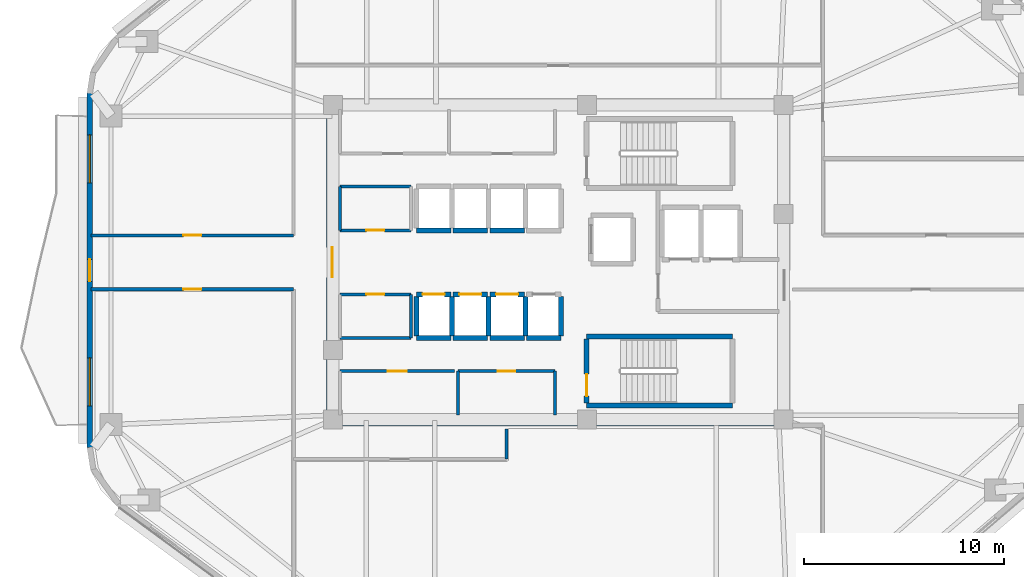
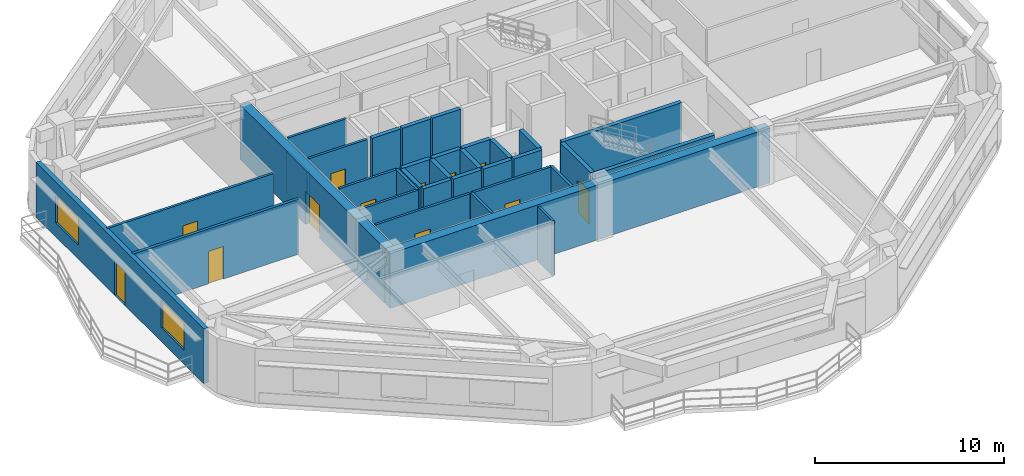
# One storey, part 8 of 13: 34 walls, 12 doors, 2 windows, 14 openings.
"""IFC4 building model written with IfcOpenShell, lengths in metres."""

from ifc_helpers import new_model, si_unit, direction, frame, frame_2d, origin, place, context, subcontext, project, spatial, rectangle, extrude, material, layer, layer_set, type_object, element, fill, save


model = new_model("IFC4")

# Units and contexts
model_context = context("Model", 3, precision=1e-05, world=origin(), true_north=direction((0.0, 1.0)))
body_context = subcontext(model_context, "Body", "Model", "MODEL_VIEW")
ifc_project = project(units=[si_unit("LENGTHUNIT", "METRE"), si_unit("AREAUNIT", "SQUARE_METRE"), si_unit("VOLUMEUNIT", "CUBIC_METRE"), si_unit("PLANEANGLEUNIT", "RADIAN"), si_unit("MASSUNIT", "GRAM", prefix="KILO")], contexts=[model_context])

# Site, building, storey
site_placement = place(None, origin())
site = spatial("IfcSite", under=ifc_project, at=site_placement, CompositionType="ELEMENT")
building_placement = place(site_placement, origin())
building = spatial("IfcBuilding", under=site, at=building_placement, Name="Zulverin Broadcast Headquarters", CompositionType="ELEMENT")
storey_placement = place(building_placement, frame((0.0, 0.0, 155.39990234375)))
storey = spatial("IfcBuildingStorey", under=building, at=storey_placement, Name="L39", CompositionType="ELEMENT", Elevation=155.39990234375)

# Wall
ifc_material_1 = material(Name="Concrete C60/75", Category="concrete")
ifc_layer_1 = layer(ifc_material_1, 0.550048828125, Name="Concrete C60/75", Category="concrete")
ifc_layer_set_1 = layer_set([ifc_layer_1], Name="Concrete C60/75")
wall_type_1 = type_object("IfcWallType", Name="WL-CORE-550", PredefinedType="SHEAR", material=ifc_layer_set_1)
wall_1_placement = place(storey_placement, frame((25.39990234375, 17.27490234375, 0.0), z_axis=(0.0, 0.0, 1.0), x_axis=(1.0, 0.0, 0.0)))
element("IfcWall", 1, at=wall_1_placement, inside=storey, type_object=wall_type_1, Name="L39 Core South Shear Wall", PredefinedType="SHEAR", context=body_context, shape_type="SweptSolid", body=[
    extrude(rectangle(XDim=23.2001953125, YDim=0.550048828125, at=frame_2d((11.60009765625, 0.0))), origin(), (0.0, 0.0, 1.0), 3.5400390625),
])

# Wall, opening, door
wall_2_placement = place(storey_placement, frame((25.675048828125, 17.550048828125, 0.0), z_axis=(0.0, 0.0, 1.0), x_axis=(0.0, 1.0, 0.0)))
wall_2 = element("IfcWall", 2, at=wall_2_placement, inside=storey, type_object=wall_type_1, Name="L39 Core West Shear Wall", PredefinedType="SHEAR", context=body_context, shape_type="SweptSolid", body=[
    extrude(rectangle(XDim=15.300048828125, YDim=0.550048828125, at=frame_2d((7.64990234375, 0.0))), origin(), (0.0, 0.0, 1.0), 3.5400390625),
])
opening_1_placement = place(wall_2_placement, frame((6.89990234375, 0.0, 0.0)))
opening_1 = element("IfcOpeningElement", 3, at=opening_1_placement, cuts=wall_2, Name="Opening D-L39-CW1", PredefinedType="OPENING", context=body_context, shape_type="SweptSolid", body=[
    extrude(rectangle(XDim=1.5, YDim=2.14990234375, at=frame_2d((0.75, 1.074951171875))), frame((0.0, 0.284912109375, 0.0), z_axis=(0.0, -1.0, 0.0), x_axis=(1.0, 0.0, 0.0)), (0.0, 0.0, 1.0), 0.570068359375),
])
ifc_material_2 = material(Name="Fire-rated glazed steel frame", Category="steel")
door_type_1 = type_object("IfcDoorType", Name="DR-COR-1500", OperationType="DOUBLE_DOOR_SINGLE_SWING", PredefinedType="DOOR", material=ifc_material_2)
door_1_placement = place(opening_1_placement, origin())
door_1 = element("IfcDoor", 4, at=door_1_placement, inside=storey, type_object=door_type_1, Name="L39 Central Lift Lobby West Portal Door", OperationType="DOUBLE_DOOR_SINGLE_SWING", OverallHeight=2.14990234375, OverallWidth=1.5, PredefinedType="DOOR", context=body_context, shape_type="SweptSolid", body=[
    extrude(rectangle(XDim=1.5, YDim=2.14990234375, at=frame_2d((0.75, 1.074951171875))), frame((0.0, 0.02490234375, 0.0), z_axis=(0.0, -1.0, 0.0), x_axis=(1.0, 0.0, 0.0)), (0.0, 0.0, 1.0), 0.050048828125),
])
fill(opening_1, door_1)

# Wall, openings, door, windows
ifc_material_3 = material(Name="Insulated pale-metal clad concrete spandrel C40/50", Category="concrete")
ifc_layer_2 = layer(ifc_material_3, 0.280029296875, Name="Insulated pale-metal clad concrete spandrel C40/50", Category="concrete")
ifc_layer_set_2 = layer_set([ifc_layer_2], Name="Insulated pale-metal clad concrete spandrel C40/50")
wall_type_2 = type_object("IfcWallType", Name="WL-EXT-280", PredefinedType="STANDARD", material=ifc_layer_set_2)
wall_3_placement = place(storey_placement, frame((13.5400390625, 33.673095703125, 0.0), z_axis=(0.0, 0.0, 1.0), x_axis=(0.0, -1.0, 0.0)))
wall_3 = element("IfcWall", 5, at=wall_3_placement, inside=storey, type_object=wall_type_2, Name="L39 Pale-Metal Clad Spandrel Wall 7", PredefinedType="STANDARD", context=body_context, shape_type="SweptSolid", body=[
    extrude(rectangle(XDim=17.751220703125, YDim=0.280029296875, at=frame_2d((8.87548828125, 0.0))), origin(), (0.0, 0.0, 1.0), 3.5400390625),
])
opening_2_placement = place(wall_3_placement, frame((8.32568359375, 0.0, 0.0)))
opening_2 = element("IfcOpeningElement", 6, at=opening_2_placement, cuts=wall_3, Name="Opening D-L39-TR7", PredefinedType="OPENING", context=body_context, shape_type="SweptSolid", body=[
    extrude(rectangle(XDim=1.10009765625, YDim=2.199951171875, at=frame_2d((0.550048828125, 1.10009765625))), frame((0.0, 0.14990234375, 0.0), z_axis=(0.0, -1.0, 0.0), x_axis=(1.0, 0.0, 0.0)), (0.0, 0.0, 1.0), 0.300048828125),
])
opening_3_placement = place(wall_3_placement, frame((2.091796875, 0.0, 0.89990234375)))
opening_3 = element("IfcOpeningElement", 7, at=opening_3_placement, cuts=wall_3, Name="Opening W-L39-E71", PredefinedType="OPENING", context=body_context, shape_type="SweptSolid", body=[
    extrude(rectangle(XDim=2.39990234375, YDim=1.75, at=frame_2d((1.199951171875, 0.875))), frame((0.0, 0.14990234375, 0.0), z_axis=(0.0, -1.0, 0.0), x_axis=(1.0, 0.0, 0.0)), (0.0, 0.0, 1.0), 0.300048828125),
])
opening_4_placement = place(wall_3_placement, frame((13.259521484375, 0.0, 0.89990234375)))
opening_4 = element("IfcOpeningElement", 8, at=opening_4_placement, cuts=wall_3, Name="Opening W-L39-E72", PredefinedType="OPENING", context=body_context, shape_type="SweptSolid", body=[
    extrude(rectangle(XDim=2.39990234375, YDim=1.75, at=frame_2d((1.199951171875, 0.875))), frame((0.0, 0.14990234375, 0.0), z_axis=(0.0, -1.0, 0.0), x_axis=(1.0, 0.0, 0.0)), (0.0, 0.0, 1.0), 0.300048828125),
])
ifc_material_4 = material(Name="Thermally broken aluminium glazed", Category="aluminium")
door_type_2 = type_object("IfcDoorType", Name="DR-TERR-1100", OperationType="SINGLE_SWING_RIGHT", PredefinedType="DOOR", material=ifc_material_4)
door_2_placement = place(opening_2_placement, origin())
door_2 = element("IfcDoor", 9, at=door_2_placement, inside=storey, type_object=door_type_2, Name="L39 Planted Terrace Glazed Access Door 7", OperationType="SINGLE_SWING_RIGHT", OverallHeight=2.199951171875, OverallWidth=1.10009765625, PredefinedType="DOOR", context=body_context, shape_type="SweptSolid", body=[
    extrude(rectangle(XDim=1.10009765625, YDim=2.199951171875, at=frame_2d((0.550048828125, 1.10009765625))), frame((0.0, 0.02490234375, 0.0), z_axis=(0.0, -1.0, 0.0), x_axis=(1.0, 0.0, 0.0)), (0.0, 0.0, 1.0), 0.050048828125),
])
fill(opening_2, door_2)
ifc_material_5 = material(Name="Pale anodized aluminium frame with solar-control low-E double glazing", Category="aluminium")
window_type = type_object("IfcWindowType", Name="WIN-RIB-2400", PartitioningType="SINGLE_PANEL", PredefinedType="WINDOW", material=ifc_material_5)
window_1_placement = place(opening_3_placement, origin())
window_1 = element("IfcWindow", 10, at=window_1_placement, inside=storey, type_object=window_type, Name="L39 Ribbon Glazing Window 7 1", OverallHeight=1.75, OverallWidth=2.39990234375, PartitioningType="SINGLE_PANEL", PredefinedType="WINDOW", context=body_context, shape_type="SweptSolid", body=[
    extrude(rectangle(XDim=2.39990234375, YDim=1.75, at=frame_2d((1.199951171875, 0.875))), frame((0.0, 0.030029296875, 0.0), z_axis=(0.0, -1.0, 0.0), x_axis=(1.0, 0.0, 0.0)), (0.0, 0.0, 1.0), 0.06005859375),
])
fill(opening_3, window_1)
window_2_placement = place(opening_4_placement, origin())
window_2 = element("IfcWindow", 11, at=window_2_placement, inside=storey, type_object=window_type, Name="L39 Ribbon Glazing Window 7 2", OverallHeight=1.75, OverallWidth=2.39990234375, PartitioningType="SINGLE_PANEL", PredefinedType="WINDOW", context=body_context, shape_type="SweptSolid", body=[
    extrude(rectangle(XDim=2.39990234375, YDim=1.75, at=frame_2d((1.199951171875, 0.875))), frame((0.0, 0.030029296875, 0.0), z_axis=(0.0, -1.0, 0.0), x_axis=(1.0, 0.0, 0.0)), (0.0, 0.0, 1.0), 0.06005859375),
])
fill(opening_4, window_2)

# Wall, opening, door
ifc_material_6 = material(Name="Fire-rated gypsum stud partition", Category="gypsum")
ifc_layer_3 = layer(ifc_material_6, 0.14990234375, Name="Fire-rated gypsum stud partition", Category="gypsum")
ifc_layer_set_3 = layer_set([ifc_layer_3], Name="Fire-rated gypsum stud partition")
wall_type_3 = type_object("IfcWallType", Name="WL-PART-150", PredefinedType="PARTITIONING", material=ifc_layer_set_3)
wall_4_placement = place(storey_placement, frame((26.070068359375, 19.75, 0.0), z_axis=(0.0, 0.0, 1.0), x_axis=(1.0, 0.0, 0.0)))
wall_4 = element("IfcWall", 12, at=wall_4_placement, inside=storey, type_object=wall_type_3, Name="L39 Core Female WC Front Wall", PredefinedType="PARTITIONING", context=body_context, shape_type="SweptSolid", body=[
    extrude(rectangle(XDim=5.739990234375, YDim=0.14990234375, at=frame_2d((2.8701171875, 0.0))), origin(), (0.0, 0.0, 1.0), 3.5400390625),
])
opening_5_placement = place(wall_4_placement, frame((2.39501953125, 0.0, 0.0)))
opening_5 = element("IfcOpeningElement", 13, at=opening_5_placement, cuts=wall_4, Name="Opening D-L39-SC1", PredefinedType="OPENING", context=body_context, shape_type="SweptSolid", body=[
    extrude(rectangle(XDim=0.949951171875, YDim=2.10009765625, at=frame_2d((0.47509765625, 1.050048828125))), frame((0.0, 0.0849609375, 0.0), z_axis=(0.0, -1.0, 0.0), x_axis=(1.0, 0.0, 0.0)), (0.0, 0.0, 1.0), 0.169921875),
])
ifc_material_7 = material(Name="Fire-rated moisture-resistant laminate leaf", Category="wood")
door_type_3 = type_object("IfcDoorType", Name="DR-WC-950", OperationType="SINGLE_SWING_LEFT", PredefinedType="DOOR", material=ifc_material_7)
door_3_placement = place(opening_5_placement, origin())
door_3 = element("IfcDoor", 14, at=door_3_placement, inside=storey, type_object=door_type_3, Name="L39 Female WC Door", OperationType="SINGLE_SWING_LEFT", OverallHeight=2.10009765625, OverallWidth=0.949951171875, PredefinedType="DOOR", context=body_context, shape_type="SweptSolid", body=[
    extrude(rectangle(XDim=0.949951171875, YDim=2.10009765625, at=frame_2d((0.47509765625, 1.050048828125))), frame((0.0, 0.02490234375, 0.0), z_axis=(0.0, -1.0, 0.0), x_axis=(1.0, 0.0, 0.0)), (0.0, 0.0, 1.0), 0.050048828125),
])
fill(opening_5, door_3)

wall_5_placement = place(storey_placement, frame((31.969970703125, 19.75, 0.0), z_axis=(0.0, 0.0, 1.0), x_axis=(1.0, 0.0, 0.0)))
wall_5 = element("IfcWall", 15, at=wall_5_placement, inside=storey, type_object=wall_type_3, Name="L39 Core Cleaner Store & Telecoms Riser Front Wall", PredefinedType="PARTITIONING", context=body_context, shape_type="SweptSolid", body=[
    extrude(rectangle(XDim=4.880126953125, YDim=0.14990234375, at=frame_2d((2.43994140625, 0.0))), origin(), (0.0, 0.0, 1.0), 3.5400390625),
])
opening_6_placement = place(wall_5_placement, frame((1.989990234375, 0.0, 0.0)))
opening_6 = element("IfcOpeningElement", 16, at=opening_6_placement, cuts=wall_5, Name="Opening D-L39-SC2", PredefinedType="OPENING", context=body_context, shape_type="SweptSolid", body=[
    extrude(rectangle(XDim=0.89990234375, YDim=2.10009765625, at=frame_2d((0.449951171875, 1.050048828125))), frame((0.0, 0.0849609375, 0.0), z_axis=(0.0, -1.0, 0.0), x_axis=(1.0, 0.0, 0.0)), (0.0, 0.0, 1.0), 0.169921875),
])
ifc_material_8 = material(Name="Powder-coated steel access leaf", Category="steel")
door_type_4 = type_object("IfcDoorType", Name="DR-RISER-900", OperationType="SINGLE_SWING_LEFT", PredefinedType="DOOR", material=ifc_material_8)
door_4_placement = place(opening_6_placement, origin())
door_4 = element("IfcDoor", 17, at=door_4_placement, inside=storey, type_object=door_type_4, Name="L39 Cleaner Store & Telecoms Riser Door", OperationType="SINGLE_SWING_RIGHT", OverallHeight=2.10009765625, OverallWidth=0.89990234375, PredefinedType="DOOR", context=body_context, shape_type="SweptSolid", body=[
    extrude(rectangle(XDim=0.89990234375, YDim=2.10009765625, at=frame_2d((0.449951171875, 1.050048828125))), frame((0.0, 0.02490234375, 0.0), z_axis=(0.0, -1.0, 0.0), x_axis=(1.0, 0.0, 0.0)), (0.0, 0.0, 1.0), 0.050048828125),
])
fill(opening_6, door_4)

# Walls
for number, where, z_axis, x_axis, name in (
    (18, (31.969970703125, 17.550048828125, 0.0), (0.0, 0.0, 1.0), (0.0, 1.0, 0.0), "L39 Core Cleaner Store & Telecoms Riser West Wall"),
    (19, (36.85009765625, 17.550048828125, 0.0), (0.0, 0.0, 1.0), (0.0, 1.0, 0.0), "L39 Core Cleaner Store & Telecoms Riser East Wall"),
):
    element("IfcWall", number, at=place(storey_placement, frame(where, z_axis=z_axis, x_axis=x_axis)), inside=storey, type_object=wall_type_3, Name=name, PredefinedType="PARTITIONING", context=body_context, shape_type="SweptSolid", body=[
        extrude(rectangle(XDim=2.199951171875, YDim=0.14990234375, at=frame_2d((1.10009765625, 0.0))), origin(), (0.0, 0.0, 1.0), 3.5400390625),
    ])

# Wall, opening, door
wall_6_placement = place(storey_placement, frame((26.070068359375, 26.800048828125, 0.0), z_axis=(0.0, 0.0, 1.0), x_axis=(1.0, 0.0, 0.0)))
wall_6 = element("IfcWall", 20, at=wall_6_placement, inside=storey, type_object=wall_type_3, Name="L39 Broadcast Signal Patch Room S Wall", PredefinedType="PARTITIONING", context=body_context, shape_type="SweptSolid", body=[
    extrude(rectangle(XDim=3.550048828125, YDim=0.14990234375, at=frame_2d((1.77490234375, 0.0))), origin(), (0.0, 0.0, 1.0), 3.5400390625),
])
opening_7_placement = place(wall_6_placement, frame((1.324951171875, 0.0, 0.0)))
opening_7 = element("IfcOpeningElement", 21, at=opening_7_placement, cuts=wall_6, Name="Opening D-L39-RCLN", PredefinedType="OPENING", context=body_context, shape_type="SweptSolid", body=[
    extrude(rectangle(XDim=0.89990234375, YDim=2.10009765625, at=frame_2d((0.449951171875, 1.050048828125))), frame((0.0, 0.0849609375, 0.0), z_axis=(0.0, -1.0, 0.0), x_axis=(1.0, 0.0, 0.0)), (0.0, 0.0, 1.0), 0.169921875),
])
door_5_placement = place(opening_7_placement, origin())
door_5 = element("IfcDoor", 22, at=door_5_placement, inside=storey, type_object=door_type_4, Name="L39 Broadcast Signal Patch Room Door", OperationType="SINGLE_SWING_LEFT", OverallHeight=2.10009765625, OverallWidth=0.89990234375, PredefinedType="DOOR", context=body_context, shape_type="SweptSolid", body=[
    extrude(rectangle(XDim=0.89990234375, YDim=2.10009765625, at=frame_2d((0.449951171875, 1.050048828125))), frame((0.0, 0.02490234375, 0.0), z_axis=(0.0, -1.0, 0.0), x_axis=(1.0, 0.0, 0.0)), (0.0, 0.0, 1.0), 0.050048828125),
])
fill(opening_7, door_5)

# Walls
wall_7_placement = place(storey_placement, frame((26.070068359375, 29.0, 0.0), z_axis=(0.0, 0.0, 1.0), x_axis=(1.0, 0.0, 0.0)))
element("IfcWall", 23, at=wall_7_placement, inside=storey, type_object=wall_type_3, Name="L39 Broadcast Signal Patch Room N Wall", PredefinedType="PARTITIONING", context=body_context, shape_type="SweptSolid", body=[
    extrude(rectangle(XDim=3.550048828125, YDim=0.14990234375, at=frame_2d((1.77490234375, 0.0))), origin(), (0.0, 0.0, 1.0), 3.5400390625),
])
wall_8_placement = place(storey_placement, frame((26.070068359375, 26.800048828125, 0.0), z_axis=(0.0, 0.0, 1.0), x_axis=(0.0, 1.0, 0.0)))
element("IfcWall", 24, at=wall_8_placement, inside=storey, type_object=wall_type_3, Name="L39 Broadcast Signal Patch Room W Wall", PredefinedType="PARTITIONING", context=body_context, shape_type="SweptSolid", body=[
    extrude(rectangle(XDim=2.199951171875, YDim=0.14990234375, at=frame_2d((1.10009765625, 0.0))), origin(), (0.0, 0.0, 1.0), 2.64013671875),
])
wall_9_placement = place(storey_placement, frame((26.070068359375, 21.39990234375, 0.0), z_axis=(0.0, 0.0, 1.0), x_axis=(1.0, 0.0, 0.0)))
element("IfcWall", 25, at=wall_9_placement, inside=storey, type_object=wall_type_3, Name="L39 Media Ingestion Server Room S Wall", PredefinedType="PARTITIONING", context=body_context, shape_type="SweptSolid", body=[
    extrude(rectangle(XDim=3.550048828125, YDim=0.14990234375, at=frame_2d((1.77490234375, 0.0))), origin(), (0.0, 0.0, 1.0), 3.5400390625),
])

# Wall, opening, door
wall_10_placement = place(storey_placement, frame((26.070068359375, 23.60009765625, 0.0), z_axis=(0.0, 0.0, 1.0), x_axis=(1.0, 0.0, 0.0)))
wall_10 = element("IfcWall", 26, at=wall_10_placement, inside=storey, type_object=wall_type_3, Name="L39 Media Ingestion Server Room N Wall", PredefinedType="PARTITIONING", context=body_context, shape_type="SweptSolid", body=[
    extrude(rectangle(XDim=3.550048828125, YDim=0.14990234375, at=frame_2d((1.77490234375, 0.0))), origin(), (0.0, 0.0, 1.0), 3.5400390625),
])
opening_8_placement = place(wall_10_placement, frame((1.324951171875, 0.0, 0.0)))
opening_8 = element("IfcOpeningElement", 27, at=opening_8_placement, cuts=wall_10, Name="Opening D-L39-RCLS", PredefinedType="OPENING", context=body_context, shape_type="SweptSolid", body=[
    extrude(rectangle(XDim=0.89990234375, YDim=2.10009765625, at=frame_2d((0.449951171875, 1.050048828125))), frame((0.0, 0.0849609375, 0.0), z_axis=(0.0, -1.0, 0.0), x_axis=(1.0, 0.0, 0.0)), (0.0, 0.0, 1.0), 0.169921875),
])
door_6_placement = place(opening_8_placement, origin())
door_6 = element("IfcDoor", 28, at=door_6_placement, inside=storey, type_object=door_type_4, Name="L39 Media Ingestion Server Room Door", OperationType="SINGLE_SWING_RIGHT", OverallHeight=2.10009765625, OverallWidth=0.89990234375, PredefinedType="DOOR", context=body_context, shape_type="SweptSolid", body=[
    extrude(rectangle(XDim=0.89990234375, YDim=2.10009765625, at=frame_2d((0.449951171875, 1.050048828125))), frame((0.0, 0.02490234375, 0.0), z_axis=(0.0, -1.0, 0.0), x_axis=(1.0, 0.0, 0.0)), (0.0, 0.0, 1.0), 0.050048828125),
])
fill(opening_8, door_6)

# Walls
wall_11_placement = place(storey_placement, frame((29.6201171875, 21.39990234375, 0.0), z_axis=(0.0, 0.0, 1.0), x_axis=(0.0, 1.0, 0.0)))
element("IfcWall", 29, at=wall_11_placement, inside=storey, type_object=wall_type_3, Name="L39 Media Ingestion Server Room E Wall", PredefinedType="PARTITIONING", context=body_context, shape_type="SweptSolid", body=[
    extrude(rectangle(XDim=2.2001953125, YDim=0.14990234375, at=frame_2d((1.10009765625, 0.0))), origin(), (0.0, 0.0, 1.0), 3.5400390625),
])
wall_12_placement = place(storey_placement, frame((34.39990234375, 15.35009765625, 0.0), z_axis=(0.0, 0.0, 1.0), x_axis=(0.0, 1.0, 0.0)))
element("IfcWall", 30, at=wall_12_placement, inside=storey, type_object=wall_type_3, Name="L39 Gallery Partition Wall CG-03", PredefinedType="PARTITIONING", context=body_context, shape_type="SweptSolid", body=[
    extrude(rectangle(XDim=1.510009765625, YDim=0.14990234375, at=frame_2d((0.7548828125, 0.0))), origin(), (0.0, 0.0, 1.0), 3.5400390625),
])

# Wall, opening, door
wall_13_placement = place(storey_placement, frame((13.60498046875, 26.550048828125, 0.0), z_axis=(0.0, 0.0, 1.0), x_axis=(1.0, 0.0, 0.0)))
wall_13 = element("IfcWall", 31, at=wall_13_placement, inside=storey, type_object=wall_type_3, Name="L39 Gallery Partition Wall CG-10", PredefinedType="PARTITIONING", context=body_context, shape_type="SweptSolid", body=[
    extrude(rectangle(XDim=10.14501953125, YDim=0.14990234375, at=frame_2d((5.072509765625, 0.0))), origin(), (0.0, 0.0, 1.0), 3.5400390625),
])
opening_9_placement = place(wall_13_placement, frame((4.62255859375, 0.0, 0.0)))
opening_9 = element("IfcOpeningElement", 32, at=opening_9_placement, cuts=wall_13, Name="Opening D-L39-04", PredefinedType="OPENING", context=body_context, shape_type="SweptSolid", body=[
    extrude(rectangle(XDim=0.89990234375, YDim=2.10009765625, at=frame_2d((0.449951171875, 1.050048828125))), frame((0.0, 0.0849609375, 0.0), z_axis=(0.0, -1.0, 0.0), x_axis=(1.0, 0.0, 0.0)), (0.0, 0.0, 1.0), 0.169921875),
])
ifc_material_9 = material(Name="Fire-rated hardwood veneer timber leaf", Category="wood")
door_type_5 = type_object("IfcDoorType", Name="DR-ROOM-900", OperationType="SINGLE_SWING_RIGHT", PredefinedType="DOOR", material=ifc_material_9)
door_7_placement = place(opening_9_placement, origin())
door_7 = element("IfcDoor", 33, at=door_7_placement, inside=storey, type_object=door_type_5, Name="L39 Coffee Cafe & Bistro Door", OperationType="SINGLE_SWING_RIGHT", OverallHeight=2.10009765625, OverallWidth=0.89990234375, PredefinedType="DOOR", context=body_context, shape_type="SweptSolid", body=[
    extrude(rectangle(XDim=0.89990234375, YDim=2.10009765625, at=frame_2d((0.449951171875, 1.050048828125))), frame((0.0, 0.02490234375, 0.0), z_axis=(0.0, -1.0, 0.0), x_axis=(1.0, 0.0, 0.0)), (0.0, 0.0, 1.0), 0.050048828125),
])
fill(opening_9, door_7)

ifc_material_10 = material(Name="Fire-rated acoustic stud wall", Category="gypsum")
ifc_layer_4 = layer(ifc_material_10, 0.175048828125, Name="Fire-rated acoustic stud wall", Category="gypsum")
ifc_layer_set_4 = layer_set([ifc_layer_4], Name="Fire-rated acoustic stud wall")
wall_type_4 = type_object("IfcWallType", Name="WL-PART-175", PredefinedType="PARTITIONING", material=ifc_layer_set_4)
wall_14_placement = place(storey_placement, frame((13.60498046875, 23.85009765625, 0.0), z_axis=(0.0, 0.0, 1.0), x_axis=(1.0, 0.0, 0.0)))
wall_14 = element("IfcWall", 34, at=wall_14_placement, inside=storey, type_object=wall_type_4, Name="L39 Gallery Partition Wall CG-08", PredefinedType="PARTITIONING", context=body_context, shape_type="SweptSolid", body=[
    extrude(rectangle(XDim=10.14501953125, YDim=0.175048828125, at=frame_2d((5.072509765625, 0.0))), origin(), (0.0, 0.0, 1.0), 3.5400390625),
])
opening_10_placement = place(wall_14_placement, frame((4.62255859375, 0.0, 0.0)))
opening_10 = element("IfcOpeningElement", 35, at=opening_10_placement, cuts=wall_14, Name="Opening D-L39-03", PredefinedType="OPENING", context=body_context, shape_type="SweptSolid", body=[
    extrude(rectangle(XDim=0.89990234375, YDim=2.10009765625, at=frame_2d((0.449951171875, 1.050048828125))), frame((0.0, 0.097412109375, 0.0), z_axis=(0.0, -1.0, 0.0), x_axis=(1.0, 0.0, 0.0)), (0.0, 0.0, 1.0), 0.195068359375),
])
door_8_placement = place(opening_10_placement, origin())
door_8 = element("IfcDoor", 36, at=door_8_placement, inside=storey, type_object=door_type_5, Name="L39 Tech Exhibition Gallery Door", OperationType="SINGLE_SWING_LEFT", OverallHeight=2.10009765625, OverallWidth=0.89990234375, PredefinedType="DOOR", context=body_context, shape_type="SweptSolid", body=[
    extrude(rectangle(XDim=0.89990234375, YDim=2.10009765625, at=frame_2d((0.449951171875, 1.050048828125))), frame((0.0, 0.02490234375, 0.0), z_axis=(0.0, -1.0, 0.0), x_axis=(1.0, 0.0, 0.0)), (0.0, 0.0, 1.0), 0.050048828125),
])
fill(opening_10, door_8)

# Walls
ifc_material_11 = material(Name="Concrete C50/60", Category="concrete")
ifc_layer_5 = layer(ifc_material_11, 0.25, Name="Concrete C50/60", Category="concrete")
ifc_layer_set_5 = layer_set([ifc_layer_5], Name="Concrete C50/60")
wall_type_5 = type_object("IfcWallType", Name="WL-SHAFT-250", PredefinedType="SHEAR", material=ifc_layer_set_5)
for number, where, z_axis, x_axis, name in (
    (37, (38.425048828125, 18.02490234375, 0.0), (0.0, 0.0, 1.0), (1.0, 0.0, 0.0), "L39 ST-2 Enclosure Wall S"),
    (38, (38.425048828125, 21.47509765625, 0.0), (0.0, 0.0, 1.0), (1.0, 0.0, 0.0), "L39 ST-2 Enclosure Wall N"),
):
    element("IfcWall", number, at=place(storey_placement, frame(where, z_axis=z_axis, x_axis=x_axis)), inside=storey, type_object=wall_type_5, Name=name, PredefinedType="SHEAR", context=body_context, shape_type="SweptSolid", body=[
        extrude(rectangle(XDim=7.300048828125, YDim=0.25, at=frame_2d((3.64990234375, 0.0))), origin(), (0.0, 0.0, 1.0), 3.5400390625),
    ])

# Wall, opening, door
wall_15_placement = place(storey_placement, frame((38.425048828125, 18.14990234375, 0.0), z_axis=(0.0, 0.0, 1.0), x_axis=(0.0, 1.0, 0.0)))
wall_15 = element("IfcWall", 39, at=wall_15_placement, inside=storey, type_object=wall_type_5, Name="L39 ST-2 Enclosure Wall W", PredefinedType="SHEAR", context=body_context, shape_type="SweptSolid", body=[
    extrude(rectangle(XDim=3.2001953125, YDim=0.25, at=frame_2d((1.60009765625, 0.0))), origin(), (0.0, 0.0, 1.0), 3.5400390625),
])
opening_11_placement = place(wall_15_placement, frame((0.35009765625, 0.0, 0.0)))
opening_11 = element("IfcOpeningElement", 40, at=opening_11_placement, cuts=wall_15, Name="Opening D-L39-ST-2", PredefinedType="OPENING", context=body_context, shape_type="SweptSolid", body=[
    extrude(rectangle(XDim=1.10009765625, YDim=2.14990234375, at=frame_2d((0.550048828125, 1.074951171875))), frame((0.0, 0.135009765625, 0.0), z_axis=(0.0, -1.0, 0.0), x_axis=(1.0, 0.0, 0.0)), (0.0, 0.0, 1.0), 0.27001953125),
])
ifc_material_12 = material(Name="Fire-rated steel leaf and frame", Category="steel")
door_type_6 = type_object("IfcDoorType", Name="DR-STAIR-1100", OperationType="SINGLE_SWING_LEFT", PredefinedType="DOOR", material=ifc_material_12)
door_9_placement = place(opening_11_placement, origin())
door_9 = element("IfcDoor", 41, at=door_9_placement, inside=storey, type_object=door_type_6, Name="L39 Exit Stair ST-2 Fire Door", OperationType="SINGLE_SWING_RIGHT", OverallHeight=2.14990234375, OverallWidth=1.10009765625, PredefinedType="DOOR", context=body_context, shape_type="SweptSolid", body=[
    extrude(rectangle(XDim=1.10009765625, YDim=2.14990234375, at=frame_2d((0.550048828125, 1.074951171875))), frame((0.0, 0.02490234375, 0.0), z_axis=(0.0, -1.0, 0.0), x_axis=(1.0, 0.0, 0.0)), (0.0, 0.0, 1.0), 0.050048828125),
])
fill(opening_11, door_9)

# Wall
wall_16_placement = place(storey_placement, frame((29.89990234375, 21.39990234375, 0.0), z_axis=(0.0, 0.0, 1.0), x_axis=(1.0, 0.0, 0.0)))
element("IfcWall", 42, at=wall_16_placement, inside=storey, type_object=wall_type_5, Name="L39 Lift PL-M1 Shaft Wall S", PredefinedType="SHEAR", context=body_context, shape_type="SweptSolid", body=[
    extrude(rectangle(XDim=1.72021484375, YDim=0.25, at=frame_2d((0.860107421875, 0.0))), origin(), (0.0, 0.0, 1.0), 3.5400390625),
])

# Wall, opening, door
wall_17_placement = place(storey_placement, frame((29.89990234375, 23.60009765625, 0.0), z_axis=(0.0, 0.0, 1.0), x_axis=(1.0, 0.0, 0.0)))
wall_17 = element("IfcWall", 43, at=wall_17_placement, inside=storey, type_object=wall_type_5, Name="L39 Lift PL-M1 Shaft Wall N", PredefinedType="SHEAR", context=body_context, shape_type="SweptSolid", body=[
    extrude(rectangle(XDim=1.72021484375, YDim=0.25, at=frame_2d((0.860107421875, 0.0))), origin(), (0.0, 0.0, 1.0), 3.5400390625),
])
opening_12_placement = place(wall_17_placement, frame((0.31005859375, 0.0, 0.0)))
opening_12 = element("IfcOpeningElement", 44, at=opening_12_placement, cuts=wall_17, Name="Opening LD-PL-M1-L39", PredefinedType="OPENING", context=body_context, shape_type="SweptSolid", body=[
    extrude(rectangle(XDim=1.10009765625, YDim=2.14990234375, at=frame_2d((0.550048828125, 1.074951171875))), frame((0.0, 0.135009765625, 0.0), z_axis=(0.0, -1.0, 0.0), x_axis=(1.0, 0.0, 0.0)), (0.0, 0.0, 1.0), 0.27001953125),
])
ifc_material_13 = material(Name="Brushed stainless steel landing", Category="steel")
door_type_7 = type_object("IfcDoorType", Name="LD-PASS-1100", OperationType="DOUBLE_DOOR_SLIDING", PredefinedType="DOOR", material=ifc_material_13)
door_10_placement = place(opening_12_placement, origin())
door_10 = element("IfcDoor", 45, at=door_10_placement, inside=storey, type_object=door_type_7, Name="L39 Lift PL-M1 Sliding Landing Door", OperationType="DOUBLE_DOOR_SLIDING", OverallHeight=2.14990234375, OverallWidth=1.10009765625, PredefinedType="DOOR", context=body_context, shape_type="SweptSolid", body=[
    extrude(rectangle(XDim=1.10009765625, YDim=2.14990234375, at=frame_2d((0.550048828125, 1.074951171875))), frame((0.0, 0.02490234375, 0.0), z_axis=(0.0, -1.0, 0.0), x_axis=(1.0, 0.0, 0.0)), (0.0, 0.0, 1.0), 0.050048828125),
])
fill(opening_12, door_10)

# Walls
for number, where, z_axis, x_axis, name in (
    (46, (29.89990234375, 21.52001953125, 0.0), (0.0, 0.0, 1.0), (0.0, 1.0, 0.0), "L39 Lift PL-M1 Shaft Wall W"),
    (47, (31.679931640625, 21.52001953125, 0.0), (0.0, 0.0, 1.0), (0.0, 1.0, 0.0), "L39 Lift PL-M1 Shaft Wall E"),
):
    element("IfcWall", number, at=place(storey_placement, frame(where, z_axis=z_axis, x_axis=x_axis)), inside=storey, type_object=wall_type_5, Name=name, PredefinedType="SHEAR", context=body_context, shape_type="SweptSolid", body=[
        extrude(rectangle(XDim=1.9599609375, YDim=0.25, at=frame_2d((0.97998046875, 0.0))), origin(), (0.0, 0.0, 1.0), 3.5400390625),
    ])
wall_18_placement = place(storey_placement, frame((31.739990234375, 21.39990234375, 0.0), z_axis=(0.0, 0.0, 1.0), x_axis=(1.0, 0.0, 0.0)))
element("IfcWall", 48, at=wall_18_placement, inside=storey, type_object=wall_type_5, Name="L39 Lift PL-M2 Shaft Wall S", PredefinedType="SHEAR", context=body_context, shape_type="SweptSolid", body=[
    extrude(rectangle(XDim=1.719970703125, YDim=0.25, at=frame_2d((0.85986328125, 0.0))), origin(), (0.0, 0.0, 1.0), 3.5400390625),
])

# Wall, opening, door
wall_19_placement = place(storey_placement, frame((31.739990234375, 23.60009765625, 0.0), z_axis=(0.0, 0.0, 1.0), x_axis=(1.0, 0.0, 0.0)))
wall_19 = element("IfcWall", 49, at=wall_19_placement, inside=storey, type_object=wall_type_5, Name="L39 Lift PL-M2 Shaft Wall N", PredefinedType="SHEAR", context=body_context, shape_type="SweptSolid", body=[
    extrude(rectangle(XDim=1.719970703125, YDim=0.25, at=frame_2d((0.85986328125, 0.0))), origin(), (0.0, 0.0, 1.0), 3.5400390625),
])
opening_13_placement = place(wall_19_placement, frame((0.31005859375, 0.0, 0.0)))
opening_13 = element("IfcOpeningElement", 50, at=opening_13_placement, cuts=wall_19, Name="Opening LD-PL-M2-L39", PredefinedType="OPENING", context=body_context, shape_type="SweptSolid", body=[
    extrude(rectangle(XDim=1.10009765625, YDim=2.14990234375, at=frame_2d((0.550048828125, 1.074951171875))), frame((0.0, 0.135009765625, 0.0), z_axis=(0.0, -1.0, 0.0), x_axis=(1.0, 0.0, 0.0)), (0.0, 0.0, 1.0), 0.27001953125),
])
door_11_placement = place(opening_13_placement, origin())
door_11 = element("IfcDoor", 51, at=door_11_placement, inside=storey, type_object=door_type_7, Name="L39 Lift PL-M2 Sliding Landing Door", OperationType="DOUBLE_DOOR_SLIDING", OverallHeight=2.14990234375, OverallWidth=1.10009765625, PredefinedType="DOOR", context=body_context, shape_type="SweptSolid", body=[
    extrude(rectangle(XDim=1.10009765625, YDim=2.14990234375, at=frame_2d((0.550048828125, 1.074951171875))), frame((0.0, 0.02490234375, 0.0), z_axis=(0.0, -1.0, 0.0), x_axis=(1.0, 0.0, 0.0)), (0.0, 0.0, 1.0), 0.050048828125),
])
fill(opening_13, door_11)

# Walls
wall_20_placement = place(storey_placement, frame((33.52001953125, 21.52001953125, 0.0), z_axis=(0.0, 0.0, 1.0), x_axis=(0.0, 1.0, 0.0)))
element("IfcWall", 52, at=wall_20_placement, inside=storey, type_object=wall_type_5, Name="L39 Lift PL-M2 Shaft Wall E", PredefinedType="SHEAR", context=body_context, shape_type="SweptSolid", body=[
    extrude(rectangle(XDim=1.9599609375, YDim=0.25, at=frame_2d((0.97998046875, 0.0))), origin(), (0.0, 0.0, 1.0), 3.5400390625),
])
wall_21_placement = place(storey_placement, frame((33.580078125, 21.39990234375, 0.0), z_axis=(0.0, 0.0, 1.0), x_axis=(1.0, 0.0, 0.0)))
element("IfcWall", 53, at=wall_21_placement, inside=storey, type_object=wall_type_5, Name="L39 Lift PL-M3 Shaft Wall S", PredefinedType="SHEAR", context=body_context, shape_type="SweptSolid", body=[
    extrude(rectangle(XDim=1.719970703125, YDim=0.25, at=frame_2d((0.85986328125, 0.0))), origin(), (0.0, 0.0, 1.0), 3.5400390625),
])

# Wall, opening, door
wall_22_placement = place(storey_placement, frame((33.580078125, 23.60009765625, 0.0), z_axis=(0.0, 0.0, 1.0), x_axis=(1.0, 0.0, 0.0)))
wall_22 = element("IfcWall", 54, at=wall_22_placement, inside=storey, type_object=wall_type_5, Name="L39 Lift PL-M3 Shaft Wall N", PredefinedType="SHEAR", context=body_context, shape_type="SweptSolid", body=[
    extrude(rectangle(XDim=1.719970703125, YDim=0.25, at=frame_2d((0.85986328125, 0.0))), origin(), (0.0, 0.0, 1.0), 3.5400390625),
])
opening_14_placement = place(wall_22_placement, frame((0.31005859375, 0.0, 0.0)))
opening_14 = element("IfcOpeningElement", 55, at=opening_14_placement, cuts=wall_22, Name="Opening LD-PL-M3-L39", PredefinedType="OPENING", context=body_context, shape_type="SweptSolid", body=[
    extrude(rectangle(XDim=1.10009765625, YDim=2.14990234375, at=frame_2d((0.550048828125, 1.074951171875))), frame((0.0, 0.135009765625, 0.0), z_axis=(0.0, -1.0, 0.0), x_axis=(1.0, 0.0, 0.0)), (0.0, 0.0, 1.0), 0.27001953125),
])
door_12_placement = place(opening_14_placement, origin())
door_12 = element("IfcDoor", 56, at=door_12_placement, inside=storey, type_object=door_type_7, Name="L39 Lift PL-M3 Sliding Landing Door", OperationType="DOUBLE_DOOR_SLIDING", OverallHeight=2.14990234375, OverallWidth=1.10009765625, PredefinedType="DOOR", context=body_context, shape_type="SweptSolid", body=[
    extrude(rectangle(XDim=1.10009765625, YDim=2.14990234375, at=frame_2d((0.550048828125, 1.074951171875))), frame((0.0, 0.02490234375, 0.0), z_axis=(0.0, -1.0, 0.0), x_axis=(1.0, 0.0, 0.0)), (0.0, 0.0, 1.0), 0.050048828125),
])
fill(opening_14, door_12)

# Walls
wall_23_placement = place(storey_placement, frame((35.360107421875, 21.52001953125, 0.0), z_axis=(0.0, 0.0, 1.0), x_axis=(0.0, 1.0, 0.0)))
element("IfcWall", 57, at=wall_23_placement, inside=storey, type_object=wall_type_5, Name="L39 Lift PL-M3 Shaft Wall E", PredefinedType="SHEAR", context=body_context, shape_type="SweptSolid", body=[
    extrude(rectangle(XDim=1.9599609375, YDim=0.25, at=frame_2d((0.97998046875, 0.0))), origin(), (0.0, 0.0, 1.0), 3.5400390625),
])
wall_24_placement = place(storey_placement, frame((35.419921875, 21.39990234375, 0.0), z_axis=(0.0, 0.0, 1.0), x_axis=(1.0, 0.0, 0.0)))
element("IfcWall", 58, at=wall_24_placement, inside=storey, type_object=wall_type_5, Name="L39 Lift PL-M4 Shaft Wall S", PredefinedType="SHEAR", context=body_context, shape_type="SweptSolid", body=[
    extrude(rectangle(XDim=1.719970703125, YDim=0.25, at=frame_2d((0.85986328125, 0.0))), origin(), (0.0, 0.0, 1.0), 3.5400390625),
])
wall_25_placement = place(storey_placement, frame((37.139892578125, 21.52001953125, 0.0), z_axis=(0.0, 0.0, 1.0), x_axis=(0.0, 1.0, 0.0)))
element("IfcWall", 59, at=wall_25_placement, inside=storey, type_object=wall_type_5, Name="L39 Lift PL-M4 Shaft Wall E", PredefinedType="SHEAR", context=body_context, shape_type="SweptSolid", body=[
    extrude(rectangle(XDim=1.9599609375, YDim=0.25, at=frame_2d((0.97998046875, 0.0))), origin(), (0.0, 0.0, 1.0), 3.5400390625),
])
wall_26_placement = place(storey_placement, frame((29.89990234375, 26.800048828125, 0.0), z_axis=(0.0, 0.0, 1.0), x_axis=(1.0, 0.0, 0.0)))
element("IfcWall", 60, at=wall_26_placement, inside=storey, type_object=wall_type_5, Name="L39 Lift PL-H1 Shaft Wall S", PredefinedType="SHEAR", context=body_context, shape_type="SweptSolid", body=[
    extrude(rectangle(XDim=1.72021484375, YDim=0.25, at=frame_2d((0.860107421875, 0.0))), origin(), (0.0, 0.0, 1.0), 3.5400390625),
])
for number, where, z_axis, x_axis, name in (
    (61, (31.739990234375, 26.800048828125, 0.0), (0.0, 0.0, 1.0), (1.0, 0.0, 0.0), "L39 Lift PL-H2 Shaft Wall S"),
    (62, (33.580078125, 26.800048828125, 0.0), (0.0, 0.0, 1.0), (1.0, 0.0, 0.0), "L39 Lift PL-H3 Shaft Wall S"),
):
    element("IfcWall", number, at=place(storey_placement, frame(where, z_axis=z_axis, x_axis=x_axis)), inside=storey, type_object=wall_type_5, Name=name, PredefinedType="SHEAR", context=body_context, shape_type="SweptSolid", body=[
        extrude(rectangle(XDim=1.719970703125, YDim=0.25, at=frame_2d((0.85986328125, 0.0))), origin(), (0.0, 0.0, 1.0), 3.5400390625),
    ])

save(model, "model.ifc")
